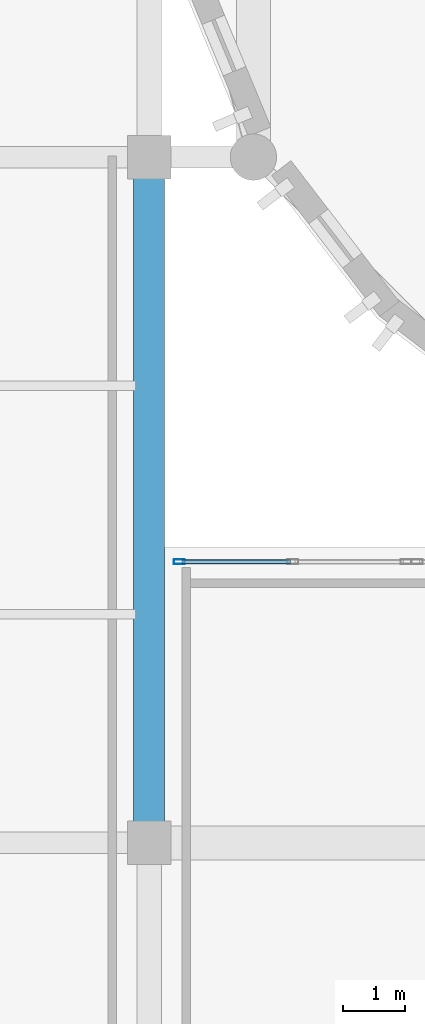
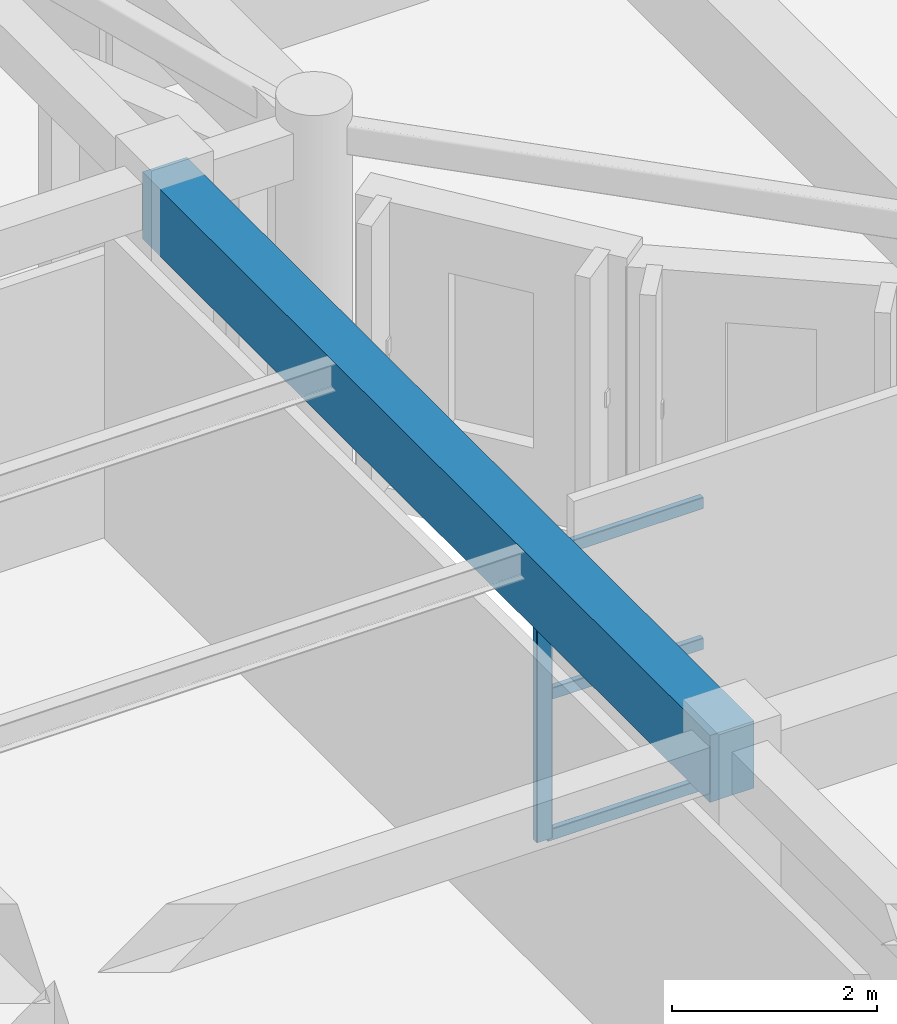
# One storey, part 35 of 91: 4 members, 1 beam, 1 element without a shape of its own.
"""IFC4 building model written with IfcOpenShell, lengths in metres."""

from ifc_helpers import new_model, si_unit, direction, frame, origin, origin_2d, place, context, subcontext, project, spatial, rectangle, hollow_rectangle, extrude, material, layer, layer_set, material_profile, profile_set, type_object, element, aggregate, save


model = new_model("IFC4")

# Units and contexts
model_context = context("Model", 3, precision=1e-05, world=origin(), true_north=direction((0.0, 1.0)))
body_context = subcontext(model_context, "Body", "Model", "MODEL_VIEW")
ifc_project = project(units=[si_unit("LENGTHUNIT", "METRE"), si_unit("AREAUNIT", "SQUARE_METRE"), si_unit("VOLUMEUNIT", "CUBIC_METRE"), si_unit("PLANEANGLEUNIT", "RADIAN"), si_unit("MASSUNIT", "GRAM", prefix="KILO")], contexts=[model_context])

# Site, building, storey
site_placement = place(None, origin())
site = spatial("IfcSite", under=ifc_project, at=site_placement, CompositionType="ELEMENT")
building_placement = place(site_placement, origin())
building = spatial("IfcBuilding", under=site, at=building_placement, Name="Tarnavel Promenade Courthouse", CompositionType="ELEMENT")
storey_placement = place(building_placement, frame((0.0, 0.0, 9.89990234375)))
storey = spatial("IfcBuildingStorey", under=building, at=storey_placement, Name="L03", CompositionType="ELEMENT", Elevation=9.89990234375)

# Beam
ifc_material_1 = material(Name="Concrete C40/50", Category="concrete")
ifc_material_profile_1 = material_profile(ifc_material_1, rectangle(XDim=0.5, YDim=0.800048828125, at=origin_2d()), Name="PT 500x800")
ifc_profile_set_1 = profile_set([ifc_material_profile_1], Name="Concrete C40/50")
beam_type = type_object("IfcBeamType", Name="Concrete C40/50 BM-PT-500x800 (PT 500x800)", PredefinedType="T_BEAM", material=ifc_profile_set_1)
beam_placement = place(storey_placement, frame((46.199951171875, 74.39990234375, 3.84521484375), z_axis=(0.0, 1.0, 0.0), x_axis=(-1.0, 0.0, 0.0)))
element("IfcBeam", 1, at=beam_placement, inside=storey, type_object=beam_type, Name="L03 Transverse Girder 1732", PredefinedType="T_BEAM", context=body_context, shape_type="SweptSolid", body=[
    extrude(rectangle(XDim=0.5, YDim=0.800048828125, at=origin_2d()), origin(), (0.0, 0.0, 1.0), 11.10009765625),
])

# Curtain wall, members
ifc_material_2 = material(Name="Thermally Broken Anodised Aluminium Curtain Wall System", Category="aluminium")
ifc_layer = layer(ifc_material_2, 0.2099609375)
ifc_layer_set = layer_set([ifc_layer], Name="Thermally Broken Anodised Aluminium Curtain Wall System")
curtain_wall_type = type_object("IfcCurtainWallType", Name="Thermally Broken Aluminium Triple-Glazed Curtain Wall CW-WG-N", PredefinedType="NOTDEFINED", material=ifc_layer_set)
curtain_wall_placement = place(storey_placement, origin())
curtain_wall = element("IfcCurtainWall", 2, at=curtain_wall_placement, inside=storey, type_object=curtain_wall_type, Name="L03 Winter-Garden North Curtain Wall 114", PredefinedType="NOTDEFINED")
ifc_material_3 = material(Name="Thermally Broken Anodised Aluminium Frame", Category="aluminium")
ifc_material_profile_2 = material_profile(ifc_material_3, hollow_rectangle(XDim=0.080078125, YDim=0.179931640625, WallThickness=0.0048828125, InnerFilletRadius=0.0048828125, OuterFilletRadius=0.010009765625, at=origin_2d()), Name="CWM 180x80x5")
ifc_profile_set_2 = profile_set([ifc_material_profile_2], Name="Thermally Broken Anodised Aluminium Frame")
member_type_1 = type_object("IfcMemberType", Name="Thermally Broken Anodised Aluminium CWM-155 (CWM 180x80x5)", PredefinedType="MULLION", material=ifc_profile_set_2)
member_1_placement = place(storey_placement, frame((46.68994140625, 78.949951171875, 0.0), z_axis=(0.0, 0.0, 1.0), x_axis=(0.0, 1.0, 0.0)))
member_1 = element("IfcMember", 3, at=member_1_placement, type_object=member_type_1, Name="CW-03 mullion 1", PredefinedType="MULLION", context=body_context, shape_type="SweptSolid", body=[
    extrude(hollow_rectangle(XDim=0.080078125, YDim=0.179931640625, WallThickness=0.0048828125, InnerFilletRadius=0.0048828125, OuterFilletRadius=0.010009765625, at=origin_2d()), origin(), (0.0, 0.0, 1.0), 3.43017578125),
])
ifc_material_profile_3 = material_profile(ifc_material_3, hollow_rectangle(XDim=0.070068359375, YDim=0.139892578125, WallThickness=0.0048828125, InnerFilletRadius=0.0048828125, OuterFilletRadius=0.010009765625, at=origin_2d()), Name="CWT 140x70x5")
ifc_profile_set_3 = profile_set([ifc_material_profile_3], Name="Thermally Broken Anodised Aluminium Frame")
member_type_2 = type_object("IfcMemberType", Name="Thermally Broken Anodised Aluminium CWT-125 (CWT 140x70x5)", PredefinedType="USERDEFINED", material=ifc_profile_set_3)
member_2_placement = place(storey_placement, frame((46.72998046875, 78.949951171875, 0.03515625), z_axis=(1.0, 0.0, 0.0), x_axis=(0.0, 1.0, 0.0)))
member_2 = element("IfcMember", 4, at=member_2_placement, type_object=member_type_2, Name="CW-03 transom 1.1", ObjectType="TRANSOM", PredefinedType="USERDEFINED", context=body_context, shape_type="SweptSolid", body=[
    extrude(hollow_rectangle(XDim=0.070068359375, YDim=0.139892578125, WallThickness=0.0048828125, InnerFilletRadius=0.0048828125, OuterFilletRadius=0.010009765625, at=origin_2d()), origin(), (0.0, 0.0, 1.0), 1.755126953125),
])
member_3_placement = place(storey_placement, frame((46.72998046875, 78.949951171875, 1.715087890625), z_axis=(1.0, 0.0, 0.0), x_axis=(0.0, 1.0, 0.0)))
member_3 = element("IfcMember", 5, at=member_3_placement, type_object=member_type_2, Name="CW-03 transom 1.2", ObjectType="TRANSOM", PredefinedType="USERDEFINED", context=body_context, shape_type="SweptSolid", body=[
    extrude(hollow_rectangle(XDim=0.070068359375, YDim=0.139892578125, WallThickness=0.0048828125, InnerFilletRadius=0.0048828125, OuterFilletRadius=0.010009765625, at=origin_2d()), origin(), (0.0, 0.0, 1.0), 1.755126953125),
])
member_4_placement = place(storey_placement, frame((46.72998046875, 78.949951171875, 3.39501953125), z_axis=(1.0, 0.0, 0.0), x_axis=(0.0, 1.0, 0.0)))
member_4 = element("IfcMember", 6, at=member_4_placement, type_object=member_type_2, Name="CW-03 transom 1.3", ObjectType="TRANSOM", PredefinedType="USERDEFINED", context=body_context, shape_type="SweptSolid", body=[
    extrude(hollow_rectangle(XDim=0.070068359375, YDim=0.139892578125, WallThickness=0.0048828125, InnerFilletRadius=0.0048828125, OuterFilletRadius=0.010009765625, at=origin_2d()), origin(), (0.0, 0.0, 1.0), 1.755126953125),
])
aggregate(curtain_wall, [member_1, member_2, member_3, member_4])

save(model, "model.ifc")
